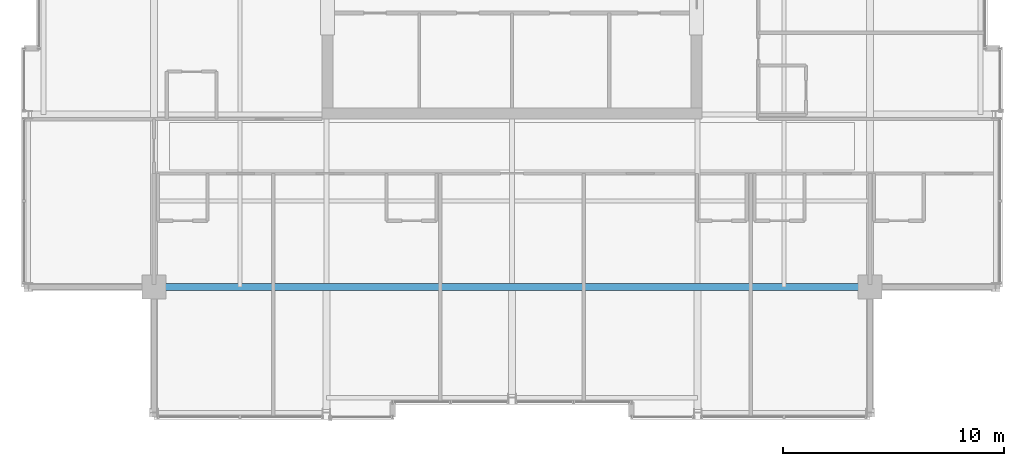
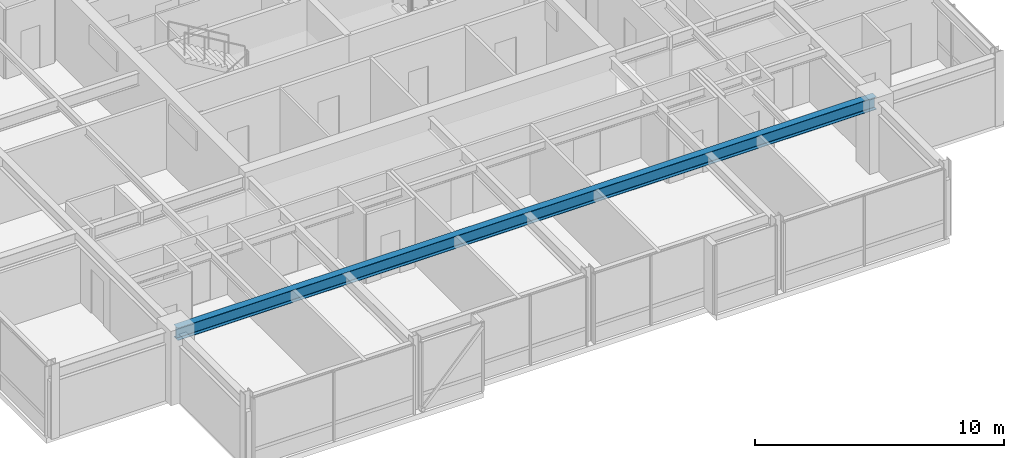
# One storey, part 8 of 33: 1 beam.
"""IFC4 building model written with IfcOpenShell, lengths in metres."""

from ifc_helpers import new_model, si_unit, direction, frame, origin, origin_2d, place, context, subcontext, project, spatial, i_section, extrude, material, material_profile, profile_set, type_object, element, save


model = new_model("IFC4")

# Units and contexts
model_context = context("Model", 3, precision=1e-05, world=origin(), true_north=direction((0.0, 1.0)))
body_context = subcontext(model_context, "Body", "Model", "MODEL_VIEW")
ifc_project = project(units=[si_unit("LENGTHUNIT", "METRE"), si_unit("AREAUNIT", "SQUARE_METRE"), si_unit("VOLUMEUNIT", "CUBIC_METRE"), si_unit("PLANEANGLEUNIT", "RADIAN"), si_unit("MASSUNIT", "GRAM", prefix="KILO")], contexts=[model_context])

# Site, building, storey
site_placement = place(None, origin())
site = spatial("IfcSite", under=ifc_project, at=site_placement, CompositionType="ELEMENT")
building_placement = place(site_placement, origin())
building = spatial("IfcBuilding", under=site, at=building_placement, Name="Drelvath Grand Hotel", CompositionType="ELEMENT")
storey_placement = place(building_placement, frame((0.0, 0.0, 268.64990234375)))
storey = spatial("IfcBuildingStorey", under=building, at=storey_placement, Name="L70", CompositionType="ELEMENT", Elevation=268.64990234375)

# Beam
ifc_material = material(Name="Steel ASTM A992 Gr 50", Category="steel")
ifc_material_profile = material_profile(ifc_material, i_section(OverallWidth=0.323974609375, OverallDepth=0.611083984375, WebThickness=0.0126953125, FlangeThickness=0.01904296875, FilletRadius=0.02197265625, at=origin_2d()), Name="W24X104")
ifc_profile_set = profile_set([ifc_material_profile], Name="Steel ASTM A992 Gr 50")
beam_type = type_object("IfcBeamType", Name="Primary Floor Girder W24X104", PredefinedType="BEAM", material=ifc_profile_set)
beam_placement = place(storey_placement, frame((-16.199951171875, 10.800048828125, 3.084716796875), z_axis=(1.0, 0.0, 0.0), x_axis=(0.0, 1.0, 0.0)))
element("IfcBeam", 1, at=beam_placement, inside=storey, type_object=beam_type, Name="L70 Mega Ring Girder South", PredefinedType="BEAM", context=body_context, shape_type="SweptSolid", body=[
    extrude(i_section(OverallWidth=0.323974609375, OverallDepth=0.611083984375, WebThickness=0.0126953125, FlangeThickness=0.01904296875, FilletRadius=0.02197265625, at=origin_2d()), origin(), (0.0, 0.0, 1.0), 32.39990234375),
])

save(model, "model.ifc")
